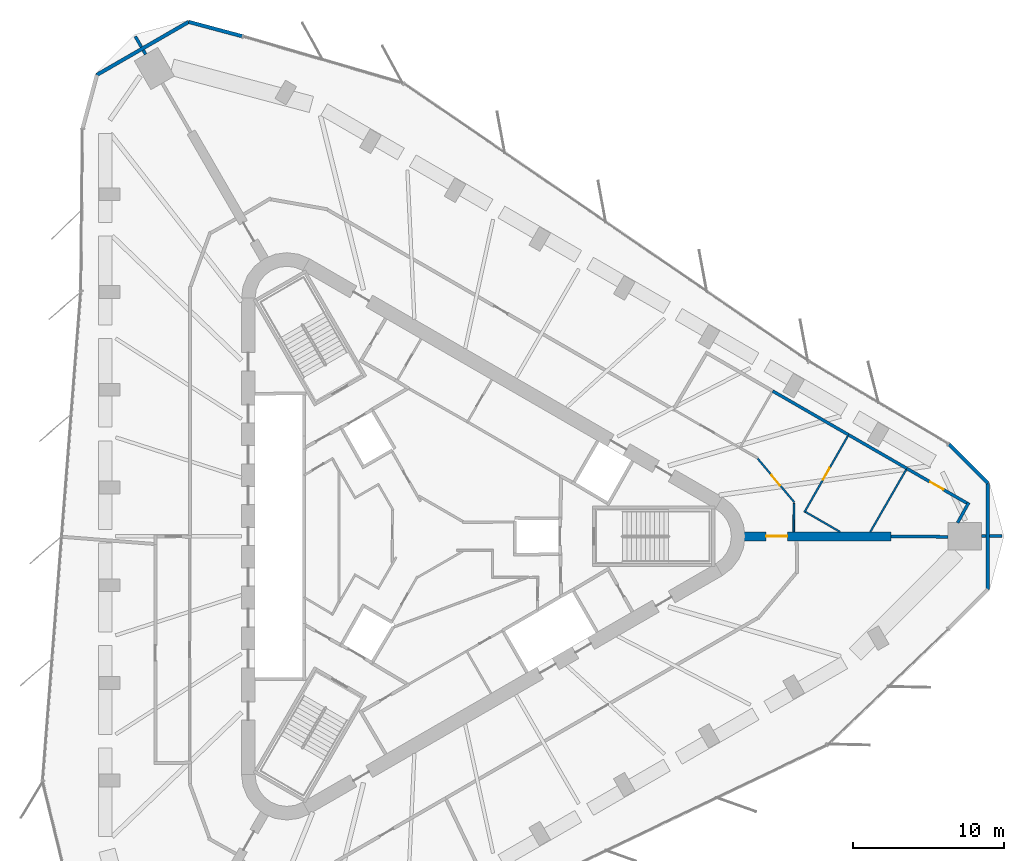
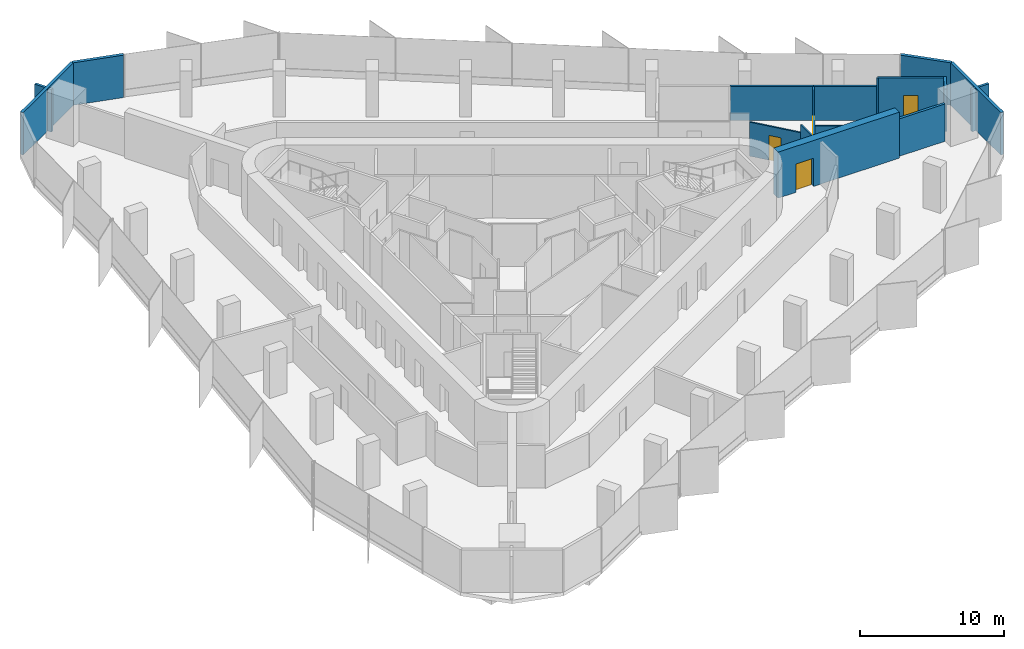
# One storey, part 12 of 14: 19 walls, 4 doors, 4 openings.
"""IFC4 building model written with IfcOpenShell, lengths in metres."""

import ifcopenshell
import ifcopenshell.guid

model = None  # the IFC model being written
_history = None  # IfcOwnerHistory: only IFC2X3 demands one
_inside = {}  # id of a spatial element -> (the spatial element, [elements in it])
_under = {}  # id of a project, library or spatial element -> (it, [spatial elements below it])
_declared = {}  # id of a project -> (the project, [libraries it declares])
_typed = {}  # id of a type object -> (the type object, [elements of that type])
_made_of = {}  # id of a material, layer set ... -> (it, [elements and type objects made of it])


def new_model(schema):
    """Start an empty IFC model of exactly this schema.

    Asked for "IFC4X3", IfcOpenShell would pick the latest addendum, in which some entities
    have other attributes; the version numbers below select the first issue.
    IFC2X3 requires an IfcOwnerHistory on every rooted entity: one is made here for all.
    """
    global model, _history
    if schema == "IFC4X3":
        model = ifcopenshell.file(schema_version=(4, 3, 0, 0))
    else:
        model = ifcopenshell.file(schema=schema)
    _inside.clear()
    _under.clear()
    _declared.clear()
    _typed.clear()
    _made_of.clear()
    _history = None
    if model.schema == "IFC2X3":
        org = make("IfcOrganization", Name="unknown")
        user = make(
            "IfcPersonAndOrganization",
            ThePerson=make("IfcPerson", FamilyName="unknown"),
            TheOrganization=org,
        )
        app = make(
            "IfcApplication",
            ApplicationDeveloper=org,
            Version="unknown",
            ApplicationFullName="unknown",
            ApplicationIdentifier="unknown",
        )
        _history = make(
            "IfcOwnerHistory",
            OwningUser=user,
            OwningApplication=app,
            ChangeAction="ADDED",
            CreationDate=0,
        )
    return model


def make(cls, **values):
    """One entity of the class cls with the attributes given. An attribute that is None is left unset."""
    return model.create_entity(
        cls, **{name: value for name, value in values.items() if value is not None}
    )


def rooted(cls, **values):
    """An entity with a GlobalId (a new one), such as an element, a storey or a relation."""
    return make(cls, GlobalId=ifcopenshell.guid.new(), OwnerHistory=_history, **values)


def si_unit(unit_type, name, prefix=None):
    """IfcSIUnit, for example si_unit("LENGTHUNIT", "METRE", prefix="MILLI")."""
    return make("IfcSIUnit", UnitType=unit_type, Prefix=prefix, Name=name)


def assignment(units):
    """IfcUnitAssignment: the units of a project."""
    return None if units is None else make("IfcUnitAssignment", Units=units)


def point(xyz):
    """IfcCartesianPoint."""
    return None if xyz is None else make("IfcCartesianPoint", Coordinates=xyz)


def direction(xyz):
    """IfcDirection."""
    return None if xyz is None else make("IfcDirection", DirectionRatios=xyz)


def frame(location, z_axis=None, x_axis=None):
    """IfcAxis2Placement3D, a coordinate frame: its origin and axes. An axis left out is left unset."""
    return make(
        "IfcAxis2Placement3D",
        Location=point(location),
        Axis=direction(z_axis),
        RefDirection=direction(x_axis),
    )


def frame_2d(location, x_axis=None):
    """IfcAxis2Placement2D, a coordinate frame in the plane: its origin and x axis."""
    return make(
        "IfcAxis2Placement2D", Location=point(location), RefDirection=direction(x_axis)
    )


def origin():
    """The frame at (0, 0, 0) with its axes left unset."""
    return frame((0.0, 0.0, 0.0))


def place(relative_to, where):
    """IfcLocalPlacement: puts the frame where relative to a parent placement (None: the world)."""
    return make(
        "IfcLocalPlacement", PlacementRelTo=relative_to, RelativePlacement=where
    )


def context(
    kind, dimensions, precision=None, world=None, true_north=None, identifier=None
):
    """IfcGeometricRepresentationContext, for example the 3D "Model" context."""
    return make(
        "IfcGeometricRepresentationContext",
        ContextIdentifier=identifier,
        ContextType=kind,
        CoordinateSpaceDimension=dimensions,
        Precision=precision,
        WorldCoordinateSystem=world,
        TrueNorth=true_north,
    )


def subcontext(parent, identifier, kind, view, scale=None):
    """IfcGeometricRepresentationSubContext, for example "Body" below "Model"."""
    return make(
        "IfcGeometricRepresentationSubContext",
        ContextIdentifier=identifier,
        ContextType=kind,
        ParentContext=parent,
        TargetScale=scale,
        TargetView=view,
    )


def project(units=None, contexts=None):
    """IfcProject with its units and contexts."""
    return rooted(
        "IfcProject",
        Name="project",
        RepresentationContexts=contexts,
        UnitsInContext=assignment(units),
    )


def spatial(cls, under=None, at=None, **own):
    """A site, building, storey or space (cls), placed at a placement, below another one or the project."""
    s = rooted(cls, ObjectPlacement=at, **own)
    if under is not None:
        _under.setdefault(under.id(), (under, []))[1].append(s)
    return s


def profile(cls, at=None, kind="AREA", **sizes):
    """A parametric profile (cls). Its sizes go by their IFC names, for example OverallWidth=200.0."""
    return make(cls, ProfileType=kind, Position=at, **sizes)


def rectangle(**sizes):
    """IfcRectangleProfileDef."""
    return profile("IfcRectangleProfileDef", **sizes)


def extrude(swept, where, along, depth):
    """IfcExtrudedAreaSolid: the profile swept, set in the frame where, extruded along a direction by depth."""
    return make(
        "IfcExtrudedAreaSolid",
        SweptArea=swept,
        Position=where,
        ExtrudedDirection=direction(along),
        Depth=depth,
    )


def shape(context_of_items, identifier, shape_type, items):
    """IfcShapeRepresentation: the items that make up one representation, for example the "Body"."""
    return make(
        "IfcShapeRepresentation",
        ContextOfItems=context_of_items,
        RepresentationIdentifier=identifier,
        RepresentationType=shape_type,
        Items=items,
    )


def material(Name=None, Category=None):
    """IfcMaterial."""
    return make("IfcMaterial", Name=Name, Category=Category)


def layer(
    of_material, thickness, ventilated=None, Name=None, Category=None, Priority=None
):
    """IfcMaterialLayer: one layer of a wall or slab, of a material (None: an air gap)."""
    return make(
        "IfcMaterialLayer",
        Material=of_material,
        LayerThickness=thickness,
        IsVentilated=ventilated,
        Name=Name,
        Category=Category,
        Priority=Priority,
    )


def layer_set(layers, Name=None):
    """IfcMaterialLayerSet."""
    return make("IfcMaterialLayerSet", MaterialLayers=layers, LayerSetName=Name)


def made_of(thing, what):
    """Note that an element or type object is made of a material, layer set ...; save() writes the relation."""
    if what is not None:
        _made_of.setdefault(what.id(), (what, []))[1].append(thing)
    return thing


def type_object(cls, material=None, **own):
    """A type object (cls), such as IfcWallType, which elements share."""
    return made_of(rooted(cls, **own), material)


def element(
    cls,
    number,
    at=None,
    inside=None,
    cuts=None,
    type_object=None,
    material=None,
    context=None,
    identifier="Body",
    shape_type=None,
    held_by="IfcProductDefinitionShape",
    body=None,
    shapes=None,
    **own,
):
    """One element of the class cls, such as IfcWall. Its Tag is "e" and its number.

    at: its placement. inside: the storey or other place that contains it. cuts: it is an
    opening in that element (IfcRelVoidsElement). A single representation is given by context,
    identifier, shape_type and body (its items); several are given by shapes. held_by: the class
    of the entity that holds the representations. save() writes the other relations.
    """
    e = rooted(cls, Tag="e%d" % number, ObjectPlacement=at, **own)
    if body is not None:
        shapes = [shape(context, identifier, shape_type, body)]
    if shapes is not None:
        e.Representation = make(held_by, Representations=shapes)
    if inside is not None:
        _inside.setdefault(inside.id(), (inside, []))[1].append(e)
    if cuts is not None:
        rooted(
            "IfcRelVoidsElement", RelatingBuildingElement=cuts, RelatedOpeningElement=e
        )
    if type_object is not None:
        _typed.setdefault(type_object.id(), (type_object, []))[1].append(e)
    return made_of(e, material)


def fill(opening, filler):
    """IfcRelFillsElement: the door or window that sits in an opening."""
    return rooted(
        "IfcRelFillsElement",
        RelatingOpeningElement=opening,
        RelatedBuildingElement=filler,
    )


def aggregate(whole, parts):
    """IfcRelAggregates: a whole, such as a stair, and the parts it consists of."""
    return rooted("IfcRelAggregates", RelatingObject=whole, RelatedObjects=parts)


def save(model, path):
    """Write the relations noted so far, then the file.

    IfcRelAggregates (storeys below a building ...), IfcRelContainedInSpatialStructure (elements
    in a storey), IfcRelDefinesByType, IfcRelAssociatesMaterial and IfcRelDeclares: one each for
    every whole, place, type object, material and project.
    """
    for whole, parts in _under.values():
        aggregate(whole, parts)
    for where, things in _inside.values():
        rooted(
            "IfcRelContainedInSpatialStructure",
            RelatedElements=things,
            RelatingStructure=where,
        )
    for kind, things in _typed.values():
        rooted("IfcRelDefinesByType", RelatedObjects=things, RelatingType=kind)
    for what, things in _made_of.values():
        rooted("IfcRelAssociatesMaterial", RelatedObjects=things, RelatingMaterial=what)
    for by, libraries in _declared.values():
        rooted("IfcRelDeclares", RelatingContext=by, RelatedDefinitions=libraries)
    model.write(path)


model = new_model("IFC4")

# Units and contexts
model_context = context("Model", 3, precision=1e-05, world=origin(), true_north=direction((0.0, 1.0)))
body_context = subcontext(model_context, "Body", "Model", "MODEL_VIEW")
ifc_project = project(units=[si_unit("LENGTHUNIT", "METRE"), si_unit("AREAUNIT", "SQUARE_METRE"), si_unit("VOLUMEUNIT", "CUBIC_METRE"), si_unit("PLANEANGLEUNIT", "RADIAN"), si_unit("MASSUNIT", "GRAM", prefix="KILO")], contexts=[model_context])

# Site, building, storey
site_placement = place(None, origin())
site = spatial("IfcSite", under=ifc_project, at=site_placement, CompositionType="ELEMENT")
building_placement = place(site_placement, origin())
building = spatial("IfcBuilding", under=site, at=building_placement, Name="Tanit Gate Tower", CompositionType="ELEMENT")
storey_placement = place(building_placement, frame((0.0, 0.0, 298.699951171875)))
storey = spatial("IfcBuildingStorey", under=building, at=storey_placement, Name="L66", CompositionType="ELEMENT", Elevation=298.699951171875)

# Wall, opening, door
ifc_material_1 = material(Name="Concrete C40/50", Category="concrete")
ifc_layer_1 = layer(ifc_material_1, 0.60009765625)
ifc_layer_set_1 = layer_set([ifc_layer_1], Name="BUTTRESS FIN 600 C40/50")
wall_type_1 = type_object("IfcWallType", Name="BUTTRESS FIN 600 C40/50", PredefinedType="SHEAR", material=ifc_layer_set_1)
wall_1_placement = place(storey_placement, frame((21.14990234375, 0.0, 0.0), z_axis=(0.0, 0.0, 1.0), x_axis=(1.0, 0.0, 0.0)))
wall_1 = element("IfcWall", 1, at=wall_1_placement, inside=storey, type_object=wall_type_1, Name="BUTTRESS FIN", PredefinedType="SHEAR", context=body_context, shape_type="SweptSolid", body=[
    extrude(rectangle(XDim=9.72021484375, YDim=0.60009765625, at=frame_2d((4.860107421875, 0.0))), origin(), (0.0, 0.0, 1.0), 3.900146484375),
])
opening_1_placement = place(wall_1_placement, frame((1.449951171875, 0.0, 0.0)))
opening_1 = element("IfcOpeningElement", 2, at=opening_1_placement, cuts=wall_1, Name="Opening P14-S18-F-E-1", PredefinedType="OPENING", context=body_context, shape_type="SweptSolid", body=[
    extrude(rectangle(XDim=1.39990234375, YDim=2.39990234375, at=frame_2d((0.699951171875, 1.199951171875))), frame((0.0, 0.31005859375, 0.0), z_axis=(0.0, -1.0, 0.0), x_axis=(1.0, 0.0, 0.0)), (0.0, 0.0, 1.0), 0.6201171875),
])
ifc_material_2 = material(Name="Timber door leaf", Category="wood")
door_type_1 = type_object("IfcDoorType", Name="INT-DOOR-FIN-PAIR-1400", OperationType="NOTDEFINED", PredefinedType="NOTDEFINED", material=ifc_material_2)
door_1_placement = place(opening_1_placement, origin())
door_1 = element("IfcDoor", 3, at=door_1_placement, inside=storey, type_object=door_type_1, Name="Door P14-S18-F-E-1", OperationType="DOUBLE_DOOR_SINGLE_SWING", OverallHeight=2.39990234375, OverallWidth=1.39990234375, PredefinedType="NOTDEFINED", context=body_context, shape_type="SweptSolid", body=[
    extrude(rectangle(XDim=1.39990234375, YDim=2.39990234375, at=frame_2d((0.699951171875, 1.199951171875))), frame((0.0, 0.02490234375, 0.0), z_axis=(0.0, -1.0, 0.0), x_axis=(1.0, 0.0, 0.0)), (0.0, 0.0, 1.0), 0.050048828125),
])
fill(opening_1, door_1)

# Walls
ifc_material_3 = material(Name="Concrete C30/37 with bronze anodised aluminium cladding", Category="concrete")
ifc_layer_2 = layer(ifc_material_3, 0.239990234375)
ifc_layer_set_2 = layer_set([ifc_layer_2], Name="Facade wall bronze clad 240")
wall_type_2 = type_object("IfcWallType", Name="Facade wall bronze clad 240", PredefinedType="SOLIDWALL", material=ifc_layer_set_2)
wall_2_placement = place(storey_placement, frame((-12.057373046875, 33.079833984375, 0.0), z_axis=(0.0, 0.0, 1.0), x_axis=(-0.965923355737, 0.258828265153, 0.0)))
element("IfcWall", 4, at=wall_2_placement, inside=storey, type_object=wall_type_2, Name="Bronze-clad facade wall L66 NW.arc1", PredefinedType="SOLIDWALL", context=body_context, shape_type="SweptSolid", body=[
    extrude(rectangle(XDim=3.66259765625, YDim=0.239990234375, at=frame_2d((1.831298828125, 0.0))), origin(), (0.0, 0.0, 1.0), 3.60009765625),
])
for number, where, z_axis, x_axis, name in (
    (5, (-15.59521484375, 34.02783203125, 0.0), (0.0, 0.0, 1.0), (-0.866026812589, -0.499997559872, 0.0), "Bronze-clad facade wall L66 NW.arc2"),
    (6, (37.2666015625, -3.508056640625, 0.0), (0.0, 0.0, 1.0), (0.0, 1.0, 0.0), "Bronze-clad facade wall L66 E.arc2"),
):
    element("IfcWall", number, at=place(storey_placement, frame(where, z_axis=z_axis, x_axis=x_axis)), inside=storey, type_object=wall_type_2, Name=name, PredefinedType="SOLIDWALL", context=body_context, shape_type="SweptSolid", body=[
        extrude(rectangle(XDim=7.01611328125, YDim=0.239990234375, at=frame_2d((3.508056640625, 0.0))), origin(), (0.0, 0.0, 1.0), 3.60009765625),
    ])
wall_3_placement = place(storey_placement, frame((37.2666015625, 3.508056640625, 0.0), z_axis=(0.0, 0.0, 1.0), x_axis=(-0.707106781187, 0.707106781187, 0.0)))
element("IfcWall", 7, at=wall_3_placement, inside=storey, type_object=wall_type_2, Name="Bronze-clad facade wall L66 E.arc3", PredefinedType="SOLIDWALL", context=body_context, shape_type="SweptSolid", body=[
    extrude(rectangle(XDim=3.648681640625, YDim=0.239990234375, at=frame_2d((1.82421875, 0.0))), origin(), (0.0, 0.0, 1.0), 3.60009765625),
])
ifc_material_4 = material(Name="Fire-rated gypsum board partition")
ifc_layer_3 = layer(ifc_material_4, 0.199951171875)
ifc_layer_set_3 = layer_set([ifc_layer_3], Name="INT-WALL-COMPARTMENT")
wall_type_3 = type_object("IfcWallType", Name="INT-WALL-COMPARTMENT", PredefinedType="PARTITIONING", material=ifc_layer_set_3)
wall_4_placement = place(storey_placement, frame((-19.125244140625, 33.06591796875, 0.0), z_axis=(0.0, 0.0, 1.0), x_axis=(0.500052144805, -0.865995295874, 0.0)))
element("IfcWall", 8, at=wall_4_placement, inside=storey, type_object=wall_type_3, Name="Wall Compartment W115", PredefinedType="PARTITIONING", context=body_context, shape_type="SweptSolid", body=[
    extrude(rectangle(XDim=0.81201171875, YDim=0.199951171875, at=frame_2d((0.406005859375, 0.0))), origin(), (0.0, 0.0, 1.0), 3.60009765625),
])
for number, where, z_axis, x_axis, name in (
    (9, (-18.599365234375, 32.15478515625, 0.0), (0.0, 0.0, 1.0), (0.500213193091, -0.865902281703, 0.0), "Wall Compartment W115x1"),
    (10, (36.830810546875, 0.030029296875, 0.0), (0.0, 0.0, 1.0), (1.0, 0.0, 0.0), "Wall Compartment W117"),
):
    element("IfcWall", number, at=place(storey_placement, frame(where, z_axis=z_axis, x_axis=x_axis)), inside=storey, type_object=wall_type_3, Name=name, PredefinedType="PARTITIONING", context=body_context, shape_type="SweptSolid", body=[
        extrude(rectangle(XDim=0.315673828125, YDim=0.199951171875, at=frame_2d((0.15771484375, 0.0))), origin(), (0.0, 0.0, 1.0), 3.60009765625),
    ])
wall_5_placement = place(storey_placement, frame((37.386474609375, 0.030029296875, 0.0), z_axis=(0.0, 0.0, 1.0), x_axis=(1.0, 0.0, 0.0)))
element("IfcWall", 11, at=wall_5_placement, inside=storey, type_object=wall_type_3, Name="Wall Compartment W117x1", PredefinedType="PARTITIONING", context=body_context, shape_type="SweptSolid", body=[
    extrude(rectangle(XDim=0.81201171875, YDim=0.199951171875, at=frame_2d((0.406005859375, 0.0))), origin(), (0.0, 0.0, 1.0), 3.60009765625),
])

# Wall, opening, door
wall_6_placement = place(storey_placement, frame((35.8662109375, 2.201904296875, 0.0), z_axis=(0.0, 0.0, 1.0), x_axis=(-0.866027379035, 0.49999657875, 0.0)))
wall_6 = element("IfcWall", 12, at=wall_6_placement, inside=storey, type_object=wall_type_3, Name="Wall Compartment W123", PredefinedType="PARTITIONING", context=body_context, shape_type="SweptSolid", body=[
    extrude(rectangle(XDim=4.57421875, YDim=0.199951171875, at=frame_2d((2.287109375, 0.0))), origin(), (0.0, 0.0, 1.0), 3.60009765625),
])
opening_2_placement = place(wall_6_placement, frame((1.787109375, 0.0, 0.0)))
opening_2 = element("IfcOpeningElement", 13, at=opening_2_placement, cuts=wall_6, Name="Opening F10-S18-25", PredefinedType="OPENING", context=body_context, shape_type="SweptSolid", body=[
    extrude(rectangle(XDim=1.0, YDim=2.10009765625, at=frame_2d((0.5, 1.050048828125))), frame((0.0, 0.10986328125, 0.0), z_axis=(0.0, -1.0, 0.0), x_axis=(1.0, 0.0, 0.0)), (0.0, 0.0, 1.0), 0.219970703125),
])
ifc_material_5 = material(Name="Fire-rated steel door leaf", Category="steel")
door_type_2 = type_object("IfcDoorType", Name="INT-DOOR-FIRE-1000", OperationType="NOTDEFINED", PredefinedType="USERDEFINED", material=ifc_material_5)
door_2_placement = place(opening_2_placement, origin())
door_2 = element("IfcDoor", 14, at=door_2_placement, inside=storey, type_object=door_type_2, Name="Door F10-S18-25", ObjectType="FIRE DOOR", OperationType="SINGLE_SWING_LEFT", OverallHeight=2.10009765625, OverallWidth=1.0, PredefinedType="USERDEFINED", context=body_context, shape_type="SweptSolid", body=[
    extrude(rectangle(XDim=1.0, YDim=2.10009765625, at=frame_2d((0.5, 1.050048828125))), frame((0.0, 0.02490234375, 0.0), z_axis=(0.0, -1.0, 0.0), x_axis=(1.0, 0.0, 0.0)), (0.0, 0.0, 1.0), 0.050048828125),
])
fill(opening_2, door_2)

# Walls
wall_7_placement = place(storey_placement, frame((31.90478515625, 4.489013671875, 0.0), z_axis=(0.0, 0.0, 1.0), x_axis=(-0.866013897511, 0.50001992892, 0.0)))
element("IfcWall", 15, at=wall_7_placement, inside=storey, type_object=wall_type_3, Name="Wall Compartment W121", PredefinedType="PARTITIONING", context=body_context, shape_type="SweptSolid", body=[
    extrude(rectangle(XDim=4.451904296875, YDim=0.199951171875, at=frame_2d((2.22607421875, 0.0))), origin(), (0.0, 0.0, 1.0), 2.880126953125),
])
wall_8_placement = place(storey_placement, frame((28.04931640625, 6.715087890625, 0.0), z_axis=(0.0, 0.0, 1.0), x_axis=(-0.866036157057, 0.499981374323, 0.0)))
element("IfcWall", 16, at=wall_8_placement, inside=storey, type_object=wall_type_3, Name="Wall Compartment W120", PredefinedType="PARTITIONING", context=body_context, shape_type="SweptSolid", body=[
    extrude(rectangle(XDim=5.795166015625, YDim=0.199951171875, at=frame_2d((2.8974609375, 0.0))), origin(), (0.0, 0.0, 1.0), 2.880126953125),
])
wall_9_placement = place(storey_placement, frame((35.2646484375, 0.89990234375, 0.0), z_axis=(0.0, 0.0, 1.0), x_axis=(0.48169188717, 0.876340644861, 0.0)))
element("IfcWall", 17, at=wall_9_placement, inside=storey, type_object=wall_type_3, Name="Wall Compartment W122", PredefinedType="PARTITIONING", context=body_context, shape_type="SweptSolid", body=[
    extrude(rectangle(XDim=1.528564453125, YDim=0.199951171875, at=frame_2d((0.76416015625, 0.0))), origin(), (0.0, 0.0, 1.0), 3.60009765625),
])
wall_10_placement = place(storey_placement, frame((34.630615234375, -0.030029296875, 0.0), z_axis=(0.0, 0.0, 1.0), x_axis=(-0.999984049016, 0.005648160246, 0.0)))
element("IfcWall", 18, at=wall_10_placement, inside=storey, type_object=wall_type_3, Name="Wall Compartment W125", PredefinedType="PARTITIONING", context=body_context, shape_type="SweptSolid", body=[
    extrude(rectangle(XDim=3.760498046875, YDim=0.199951171875, at=frame_2d((1.88037109375, 0.0))), origin(), (0.0, 0.0, 1.0), 3.170166015625),
])

# Wall, opening, door
ifc_material_6 = material(Name="Gypsum board partition")
ifc_layer_4 = layer(ifc_material_6, 0.1201171875)
ifc_layer_set_4 = layer_set([ifc_layer_4], Name="INT-WALL-PARTITION")
wall_type_4 = type_object("IfcWallType", Name="INT-WALL-PARTITION", PredefinedType="PARTITIONING", material=ifc_layer_set_4)
wall_11_placement = place(storey_placement, frame((24.46044921875, 2.25634765625, 0.0), z_axis=(0.0, 0.0, 1.0), x_axis=(-0.642780730877, 0.766050215073, 0.0)))
wall_11 = element("IfcWall", 19, at=wall_11_placement, inside=storey, type_object=wall_type_4, Name="Wall Partition W104", PredefinedType="PARTITIONING", context=body_context, shape_type="SweptSolid", body=[
    extrude(rectangle(XDim=3.786865234375, YDim=0.1201171875, at=frame_2d((1.8935546875, 0.0))), origin(), (0.0, 0.0, 1.0), 2.880126953125),
])
opening_3_placement = place(wall_11_placement, frame((1.45458984375, 0.0, 0.0)))
opening_3 = element("IfcOpeningElement", 20, at=opening_3_placement, cuts=wall_11, Name="Opening D09-S18-23", PredefinedType="OPENING", context=body_context, shape_type="SweptSolid", body=[
    extrude(rectangle(XDim=0.89990234375, YDim=2.10009765625, at=frame_2d((0.449951171875, 1.050048828125))), frame((0.0, 0.070068359375, 0.0), z_axis=(0.0, -1.0, 0.0), x_axis=(1.0, 0.0, 0.0)), (0.0, 0.0, 1.0), 0.14013671875),
])
ifc_material_7 = material(Name="Timber door leaf", Category="wood")
door_type_3 = type_object("IfcDoorType", Name="INT-DOOR-SINGLE-900", OperationType="NOTDEFINED", PredefinedType="NOTDEFINED", material=ifc_material_7)
door_3_placement = place(opening_3_placement, origin())
door_3 = element("IfcDoor", 21, at=door_3_placement, inside=storey, type_object=door_type_3, Name="Door D09-S18-23", OperationType="SINGLE_SWING_RIGHT", OverallHeight=2.10009765625, OverallWidth=0.89990234375, PredefinedType="NOTDEFINED", context=body_context, shape_type="SweptSolid", body=[
    extrude(rectangle(XDim=0.89990234375, YDim=2.10009765625, at=frame_2d((0.449951171875, 1.050048828125))), frame((0.0, 0.02490234375, 0.0), z_axis=(0.0, -1.0, 0.0), x_axis=(1.0, 0.0, 0.0)), (0.0, 0.0, 1.0), 0.050048828125),
])
fill(opening_3, door_3)

# Wall
wall_12_placement = place(storey_placement, frame((24.420166015625, 0.300048828125, 0.0), z_axis=(0.0, 0.0, 1.0), x_axis=(0.013233562751, 0.999912432574, 0.0)))
element("IfcWall", 22, at=wall_12_placement, inside=storey, type_object=wall_type_4, Name="Wall Partition W105", PredefinedType="PARTITIONING", context=body_context, shape_type="SweptSolid", body=[
    extrude(rectangle(XDim=1.8818359375, YDim=0.1201171875, at=frame_2d((0.94091796875, 0.0))), origin(), (0.0, 0.0, 1.0), 3.60009765625),
])

# Wall, opening, door
wall_13_placement = place(storey_placement, frame((25.12548828125, 1.59033203125, 0.0), z_axis=(0.0, 0.0, 1.0), x_axis=(0.495554064977, 0.868577094267, 0.0)))
wall_13 = element("IfcWall", 23, at=wall_13_placement, inside=storey, type_object=wall_type_4, Name="Wall Partition W127", PredefinedType="PARTITIONING", context=body_context, shape_type="SweptSolid", body=[
    extrude(rectangle(XDim=5.800048828125, YDim=0.1201171875, at=frame_2d((2.89990234375, 0.0))), origin(), (0.0, 0.0, 1.0), 2.880126953125),
])
opening_4_placement = place(wall_13_placement, frame((2.47998046875, 0.0, 0.0)))
opening_4 = element("IfcOpeningElement", 24, at=opening_4_placement, cuts=wall_13, Name="Opening D09-S18-24", PredefinedType="OPENING", context=body_context, shape_type="SweptSolid", body=[
    extrude(rectangle(XDim=0.89990234375, YDim=2.10009765625, at=frame_2d((0.449951171875, 1.050048828125))), frame((0.0, 0.070068359375, 0.0), z_axis=(0.0, -1.0, 0.0), x_axis=(1.0, 0.0, 0.0)), (0.0, 0.0, 1.0), 0.14013671875),
])
door_4_placement = place(opening_4_placement, origin())
door_4 = element("IfcDoor", 25, at=door_4_placement, inside=storey, type_object=door_type_3, Name="Door D09-S18-24", OperationType="SINGLE_SWING_RIGHT", OverallHeight=2.10009765625, OverallWidth=0.89990234375, PredefinedType="NOTDEFINED", context=body_context, shape_type="SweptSolid", body=[
    extrude(rectangle(XDim=0.89990234375, YDim=2.10009765625, at=frame_2d((0.449951171875, 1.050048828125))), frame((0.0, 0.02490234375, 0.0), z_axis=(0.0, -1.0, 0.0), x_axis=(1.0, 0.0, 0.0)), (0.0, 0.0, 1.0), 0.050048828125),
])
fill(opening_4, door_4)

# Walls
wall_14_placement = place(storey_placement, frame((25.207275390625, 1.612548828125, 0.0), z_axis=(0.0, 0.0, 1.0), x_axis=(0.866013657776, -0.500020344131, 0.0)))
element("IfcWall", 26, at=wall_14_placement, inside=storey, type_object=wall_type_4, Name="Wall Partition W128", PredefinedType="PARTITIONING", context=body_context, shape_type="SweptSolid", body=[
    extrude(rectangle(XDim=2.625, YDim=0.1201171875, at=frame_2d((1.3125, 0.0))), origin(), (0.0, 0.0, 1.0), 3.60009765625),
])
wall_15_placement = place(storey_placement, frame((29.49072265625, 0.300048828125, 0.0), z_axis=(0.0, 0.0, 1.0), x_axis=(0.499334051335, 0.86640954818, 0.0)))
element("IfcWall", 27, at=wall_15_placement, inside=storey, type_object=wall_type_4, Name="Wall Partition W129", PredefinedType="PARTITIONING", context=body_context, shape_type="SweptSolid", body=[
    extrude(rectangle(XDim=4.73486328125, YDim=0.1201171875, at=frame_2d((2.367431640625, 0.0))), origin(), (0.0, 0.0, 1.0), 3.60009765625),
])

save(model, "model.ifc")
